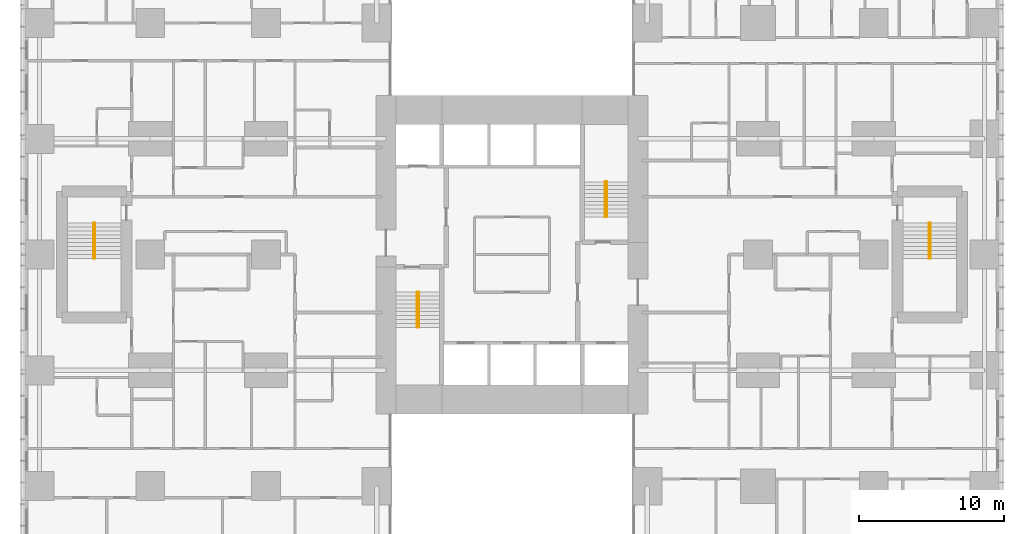
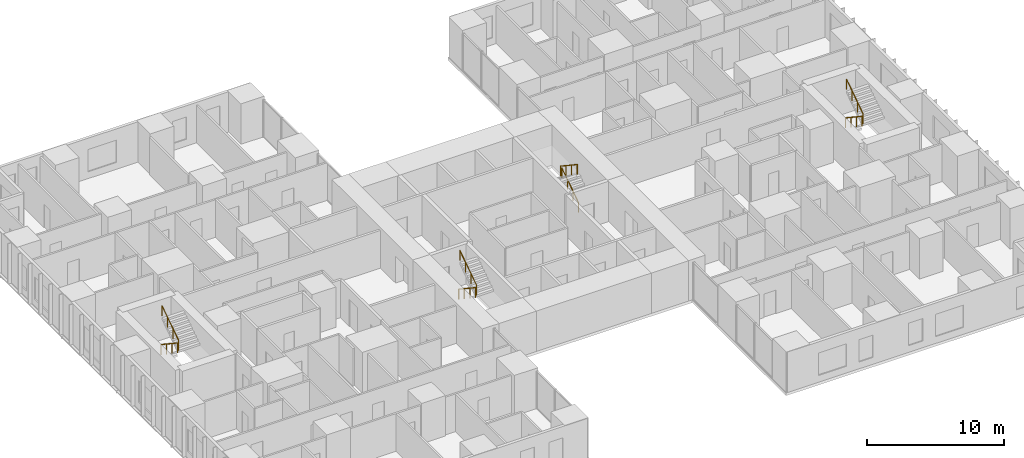
# One storey, part 21 of 21: 8 railings.
"""IFC4 building model written with IfcOpenShell, lengths in metres."""

import ifcopenshell
import ifcopenshell.guid

model = None  # the IFC model being written
_history = None  # IfcOwnerHistory: only IFC2X3 demands one
_inside = {}  # id of a spatial element -> (the spatial element, [elements in it])
_under = {}  # id of a project, library or spatial element -> (it, [spatial elements below it])
_declared = {}  # id of a project -> (the project, [libraries it declares])
_typed = {}  # id of a type object -> (the type object, [elements of that type])
_made_of = {}  # id of a material, layer set ... -> (it, [elements and type objects made of it])


def new_model(schema):
    """Start an empty IFC model of exactly this schema.

    Asked for "IFC4X3", IfcOpenShell would pick the latest addendum, in which some entities
    have other attributes; the version numbers below select the first issue.
    IFC2X3 requires an IfcOwnerHistory on every rooted entity: one is made here for all.
    """
    global model, _history
    if schema == "IFC4X3":
        model = ifcopenshell.file(schema_version=(4, 3, 0, 0))
    else:
        model = ifcopenshell.file(schema=schema)
    _inside.clear()
    _under.clear()
    _declared.clear()
    _typed.clear()
    _made_of.clear()
    _history = None
    if model.schema == "IFC2X3":
        org = make("IfcOrganization", Name="unknown")
        user = make(
            "IfcPersonAndOrganization",
            ThePerson=make("IfcPerson", FamilyName="unknown"),
            TheOrganization=org,
        )
        app = make(
            "IfcApplication",
            ApplicationDeveloper=org,
            Version="unknown",
            ApplicationFullName="unknown",
            ApplicationIdentifier="unknown",
        )
        _history = make(
            "IfcOwnerHistory",
            OwningUser=user,
            OwningApplication=app,
            ChangeAction="ADDED",
            CreationDate=0,
        )
    return model


def make(cls, **values):
    """One entity of the class cls with the attributes given. An attribute that is None is left unset."""
    return model.create_entity(
        cls, **{name: value for name, value in values.items() if value is not None}
    )


def rooted(cls, **values):
    """An entity with a GlobalId (a new one), such as an element, a storey or a relation."""
    return make(cls, GlobalId=ifcopenshell.guid.new(), OwnerHistory=_history, **values)


def si_unit(unit_type, name, prefix=None):
    """IfcSIUnit, for example si_unit("LENGTHUNIT", "METRE", prefix="MILLI")."""
    return make("IfcSIUnit", UnitType=unit_type, Prefix=prefix, Name=name)


def assignment(units):
    """IfcUnitAssignment: the units of a project."""
    return None if units is None else make("IfcUnitAssignment", Units=units)


def point(xyz):
    """IfcCartesianPoint."""
    return None if xyz is None else make("IfcCartesianPoint", Coordinates=xyz)


def direction(xyz):
    """IfcDirection."""
    return None if xyz is None else make("IfcDirection", DirectionRatios=xyz)


def frame(location, z_axis=None, x_axis=None):
    """IfcAxis2Placement3D, a coordinate frame: its origin and axes. An axis left out is left unset."""
    return make(
        "IfcAxis2Placement3D",
        Location=point(location),
        Axis=direction(z_axis),
        RefDirection=direction(x_axis),
    )


def frame_2d(location, x_axis=None):
    """IfcAxis2Placement2D, a coordinate frame in the plane: its origin and x axis."""
    return make(
        "IfcAxis2Placement2D", Location=point(location), RefDirection=direction(x_axis)
    )


def origin():
    """The frame at (0, 0, 0) with its axes left unset."""
    return frame((0.0, 0.0, 0.0))


def origin_2d():
    """The frame at (0, 0) in the plane with its x axis left unset."""
    return frame_2d((0.0, 0.0))


def place(relative_to, where):
    """IfcLocalPlacement: puts the frame where relative to a parent placement (None: the world)."""
    return make(
        "IfcLocalPlacement", PlacementRelTo=relative_to, RelativePlacement=where
    )


def context(
    kind, dimensions, precision=None, world=None, true_north=None, identifier=None
):
    """IfcGeometricRepresentationContext, for example the 3D "Model" context."""
    return make(
        "IfcGeometricRepresentationContext",
        ContextIdentifier=identifier,
        ContextType=kind,
        CoordinateSpaceDimension=dimensions,
        Precision=precision,
        WorldCoordinateSystem=world,
        TrueNorth=true_north,
    )


def subcontext(parent, identifier, kind, view, scale=None):
    """IfcGeometricRepresentationSubContext, for example "Body" below "Model"."""
    return make(
        "IfcGeometricRepresentationSubContext",
        ContextIdentifier=identifier,
        ContextType=kind,
        ParentContext=parent,
        TargetScale=scale,
        TargetView=view,
    )


def project(units=None, contexts=None):
    """IfcProject with its units and contexts."""
    return rooted(
        "IfcProject",
        Name="project",
        RepresentationContexts=contexts,
        UnitsInContext=assignment(units),
    )


def spatial(cls, under=None, at=None, **own):
    """A site, building, storey or space (cls), placed at a placement, below another one or the project."""
    s = rooted(cls, ObjectPlacement=at, **own)
    if under is not None:
        _under.setdefault(under.id(), (under, []))[1].append(s)
    return s


def profile(cls, at=None, kind="AREA", **sizes):
    """A parametric profile (cls). Its sizes go by their IFC names, for example OverallWidth=200.0."""
    return make(cls, ProfileType=kind, Position=at, **sizes)


def circle(**sizes):
    """IfcCircleProfileDef."""
    return profile("IfcCircleProfileDef", **sizes)


def extrude(swept, where, along, depth):
    """IfcExtrudedAreaSolid: the profile swept, set in the frame where, extruded along a direction by depth."""
    return make(
        "IfcExtrudedAreaSolid",
        SweptArea=swept,
        Position=where,
        ExtrudedDirection=direction(along),
        Depth=depth,
    )


def shape(context_of_items, identifier, shape_type, items):
    """IfcShapeRepresentation: the items that make up one representation, for example the "Body"."""
    return make(
        "IfcShapeRepresentation",
        ContextOfItems=context_of_items,
        RepresentationIdentifier=identifier,
        RepresentationType=shape_type,
        Items=items,
    )


def material(Name=None, Category=None):
    """IfcMaterial."""
    return make("IfcMaterial", Name=Name, Category=Category)


def made_of(thing, what):
    """Note that an element or type object is made of a material, layer set ...; save() writes the relation."""
    if what is not None:
        _made_of.setdefault(what.id(), (what, []))[1].append(thing)
    return thing


def type_object(cls, material=None, **own):
    """A type object (cls), such as IfcWallType, which elements share."""
    return made_of(rooted(cls, **own), material)


def element(
    cls,
    number,
    at=None,
    inside=None,
    cuts=None,
    type_object=None,
    material=None,
    context=None,
    identifier="Body",
    shape_type=None,
    held_by="IfcProductDefinitionShape",
    body=None,
    shapes=None,
    **own,
):
    """One element of the class cls, such as IfcWall. Its Tag is "e" and its number.

    at: its placement. inside: the storey or other place that contains it. cuts: it is an
    opening in that element (IfcRelVoidsElement). A single representation is given by context,
    identifier, shape_type and body (its items); several are given by shapes. held_by: the class
    of the entity that holds the representations. save() writes the other relations.
    """
    e = rooted(cls, Tag="e%d" % number, ObjectPlacement=at, **own)
    if body is not None:
        shapes = [shape(context, identifier, shape_type, body)]
    if shapes is not None:
        e.Representation = make(held_by, Representations=shapes)
    if inside is not None:
        _inside.setdefault(inside.id(), (inside, []))[1].append(e)
    if cuts is not None:
        rooted(
            "IfcRelVoidsElement", RelatingBuildingElement=cuts, RelatedOpeningElement=e
        )
    if type_object is not None:
        _typed.setdefault(type_object.id(), (type_object, []))[1].append(e)
    return made_of(e, material)


def aggregate(whole, parts):
    """IfcRelAggregates: a whole, such as a stair, and the parts it consists of."""
    return rooted("IfcRelAggregates", RelatingObject=whole, RelatedObjects=parts)


def save(model, path):
    """Write the relations noted so far, then the file.

    IfcRelAggregates (storeys below a building ...), IfcRelContainedInSpatialStructure (elements
    in a storey), IfcRelDefinesByType, IfcRelAssociatesMaterial and IfcRelDeclares: one each for
    every whole, place, type object, material and project.
    """
    for whole, parts in _under.values():
        aggregate(whole, parts)
    for where, things in _inside.values():
        rooted(
            "IfcRelContainedInSpatialStructure",
            RelatedElements=things,
            RelatingStructure=where,
        )
    for kind, things in _typed.values():
        rooted("IfcRelDefinesByType", RelatedObjects=things, RelatingType=kind)
    for what, things in _made_of.values():
        rooted("IfcRelAssociatesMaterial", RelatedObjects=things, RelatingMaterial=what)
    for by, libraries in _declared.values():
        rooted("IfcRelDeclares", RelatingContext=by, RelatedDefinitions=libraries)
    model.write(path)


model = new_model("IFC4")

# Units and contexts
model_context = context("Model", 3, precision=1e-05, world=origin(), true_north=direction((0.0, 1.0)))
body_context = subcontext(model_context, "Body", "Model", "MODEL_VIEW")
ifc_project = project(units=[si_unit("LENGTHUNIT", "METRE"), si_unit("AREAUNIT", "SQUARE_METRE"), si_unit("VOLUMEUNIT", "CUBIC_METRE"), si_unit("PLANEANGLEUNIT", "RADIAN"), si_unit("MASSUNIT", "GRAM", prefix="KILO")], contexts=[model_context])

# Site, building, storey
site_placement = place(None, origin())
site = spatial("IfcSite", under=ifc_project, at=site_placement, CompositionType="ELEMENT")
building_placement = place(site_placement, origin())
building = spatial("IfcBuilding", under=site, at=building_placement, Name="Cleftline Residences", CompositionType="ELEMENT")
storey_placement = place(building_placement, frame((0.0, 0.0, 58.39990234375)))
storey = spatial("IfcBuildingStorey", under=building, at=storey_placement, Name="L14", CompositionType="ELEMENT", Elevation=58.39990234375)

# Railings
ifc_material = material(Name="Stainless steel", Category="steel")
railing_type = type_object("IfcRailingType", Name="HANDRAIL 900", PredefinedType="HANDRAIL", material=ifc_material)
railing_1_placement = place(storey_placement, frame((26.449951171875, 21.39990234375, 0.18017578125)))
element("IfcRailing", 1, at=railing_1_placement, inside=storey, type_object=railing_type, Name="Stair handrail", PredefinedType="HANDRAIL", context=body_context, shape_type="SweptSolid", body=[
    extrude(circle(Radius=0.02392578125, at=origin_2d()), frame((0.0, 0.0, 0.8759765625), z_axis=(0.0, -0.832063155534, 0.554680903946), x_axis=(1.0, 0.0, 0.0)), (0.0, 0.0, 1.0), 2.92041015625),
    extrude(circle(Radius=0.02099609375, at=origin_2d()), origin(), (0.0, 0.0, 1.0), 0.851806640625),
    extrude(circle(Radius=0.02099609375, at=origin_2d()), frame((0.0, -0.81005859375, 0.5400390625)), (0.0, 0.0, 1.0), 0.851806640625),
    extrude(circle(Radius=0.02099609375, at=origin_2d()), frame((0.0, -1.619873046875, 1.079833984375)), (0.0, 0.0, 1.0), 0.851806640625),
    extrude(circle(Radius=0.02099609375, at=origin_2d()), frame((0.0, -2.429931640625, 1.619873046875)), (0.0, 0.0, 1.0), 0.851806640625),
])
railing_2_placement = place(storey_placement, frame((26.550048828125, 18.969970703125, 1.97998046875)))
element("IfcRailing", 2, at=railing_2_placement, inside=storey, type_object=railing_type, Name="Stair handrail", PredefinedType="HANDRAIL", context=body_context, shape_type="SweptSolid", body=[
    extrude(circle(Radius=0.02392578125, at=origin_2d()), frame((0.0, 0.0, 0.8759765625), z_axis=(0.0, 0.832024571796, 0.554738778101), x_axis=(-1.0, 0.0, 0.0)), (0.0, 0.0, 1.0), 2.92041015625),
    extrude(circle(Radius=0.02099609375, at=origin_2d()), origin(), (0.0, 0.0, 1.0), 0.851806640625),
    extrude(circle(Radius=0.02099609375, at=origin_2d()), frame((0.0, 0.81005859375, 0.5400390625)), (0.0, 0.0, 1.0), 0.851806640625),
    extrude(circle(Radius=0.02099609375, at=origin_2d()), frame((0.0, 1.619873046875, 1.080078125)), (0.0, 0.0, 1.0), 0.851806640625),
    extrude(circle(Radius=0.02099609375, at=origin_2d()), frame((0.0, 2.429931640625, 1.6201171875)), (0.0, 0.0, 1.0), 0.851806640625),
])
railing_3_placement = place(storey_placement, frame((39.550048828125, 26.60009765625, 0.18017578125)))
element("IfcRailing", 3, at=railing_3_placement, inside=storey, type_object=railing_type, Name="Stair handrail", PredefinedType="HANDRAIL", context=body_context, shape_type="SweptSolid", body=[
    extrude(circle(Radius=0.02392578125, at=origin_2d()), frame((0.0, 0.0, 0.8759765625), z_axis=(0.0, 0.832063155534, 0.554680903946), x_axis=(-1.0, 0.0, 0.0)), (0.0, 0.0, 1.0), 2.92041015625),
    extrude(circle(Radius=0.02099609375, at=origin_2d()), origin(), (0.0, 0.0, 1.0), 0.851806640625),
    extrude(circle(Radius=0.02099609375, at=origin_2d()), frame((0.0, 0.81005859375, 0.5400390625)), (0.0, 0.0, 1.0), 0.851806640625),
    extrude(circle(Radius=0.02099609375, at=origin_2d()), frame((0.0, 1.619873046875, 1.079833984375)), (0.0, 0.0, 1.0), 0.851806640625),
    extrude(circle(Radius=0.02099609375, at=origin_2d()), frame((0.0, 2.429931640625, 1.619873046875)), (0.0, 0.0, 1.0), 0.851806640625),
])
railing_4_placement = place(storey_placement, frame((39.449951171875, 29.030029296875, 1.97998046875)))
element("IfcRailing", 4, at=railing_4_placement, inside=storey, type_object=railing_type, Name="Stair handrail", PredefinedType="HANDRAIL", context=body_context, shape_type="SweptSolid", body=[
    extrude(circle(Radius=0.02392578125, at=origin_2d()), frame((0.0, 0.0, 0.8759765625), z_axis=(0.0, -0.832024571796, 0.554738778101), x_axis=(1.0, 0.0, 0.0)), (0.0, 0.0, 1.0), 2.92041015625),
    extrude(circle(Radius=0.02099609375, at=origin_2d()), origin(), (0.0, 0.0, 1.0), 0.851806640625),
    extrude(circle(Radius=0.02099609375, at=origin_2d()), frame((0.0, -0.81005859375, 0.5400390625)), (0.0, 0.0, 1.0), 0.851806640625),
    extrude(circle(Radius=0.02099609375, at=origin_2d()), frame((0.0, -1.619873046875, 1.080078125)), (0.0, 0.0, 1.0), 0.851806640625),
    extrude(circle(Radius=0.02099609375, at=origin_2d()), frame((0.0, -2.429931640625, 1.6201171875)), (0.0, 0.0, 1.0), 0.851806640625),
])
railing_5_placement = place(storey_placement, frame((61.824951171875, 26.175048828125, 0.18017578125)))
element("IfcRailing", 5, at=railing_5_placement, inside=storey, type_object=railing_type, Name="Stair handrail", PredefinedType="HANDRAIL", context=body_context, shape_type="SweptSolid", body=[
    extrude(circle(Radius=0.02392578125, at=origin_2d()), frame((0.0, 0.0, 0.8759765625), z_axis=(0.0, -0.832063155534, 0.554680903946), x_axis=(1.0, 0.0, 0.0)), (0.0, 0.0, 1.0), 2.92041015625),
    extrude(circle(Radius=0.02099609375, at=origin_2d()), origin(), (0.0, 0.0, 1.0), 0.851806640625),
    extrude(circle(Radius=0.02099609375, at=origin_2d()), frame((0.0, -0.81005859375, 0.5400390625)), (0.0, 0.0, 1.0), 0.851806640625),
    extrude(circle(Radius=0.02099609375, at=origin_2d()), frame((0.0, -1.619873046875, 1.079833984375)), (0.0, 0.0, 1.0), 0.851806640625),
    extrude(circle(Radius=0.02099609375, at=origin_2d()), frame((0.0, -2.429931640625, 1.619873046875)), (0.0, 0.0, 1.0), 0.851806640625),
])
railing_6_placement = place(storey_placement, frame((61.925048828125, 23.7451171875, 1.97998046875)))
element("IfcRailing", 6, at=railing_6_placement, inside=storey, type_object=railing_type, Name="Stair handrail", PredefinedType="HANDRAIL", context=body_context, shape_type="SweptSolid", body=[
    extrude(circle(Radius=0.02392578125, at=origin_2d()), frame((0.0, 0.0, 0.8759765625), z_axis=(0.0, 0.832024571796, 0.554738778101), x_axis=(-1.0, 0.0, 0.0)), (0.0, 0.0, 1.0), 2.92041015625),
    extrude(circle(Radius=0.02099609375, at=origin_2d()), origin(), (0.0, 0.0, 1.0), 0.851806640625),
    extrude(circle(Radius=0.02099609375, at=origin_2d()), frame((0.0, 0.81005859375, 0.5400390625)), (0.0, 0.0, 1.0), 0.851806640625),
    extrude(circle(Radius=0.02099609375, at=origin_2d()), frame((0.0, 1.619873046875, 1.080078125)), (0.0, 0.0, 1.0), 0.851806640625),
    extrude(circle(Radius=0.02099609375, at=origin_2d()), frame((0.0, 2.429931640625, 1.6201171875)), (0.0, 0.0, 1.0), 0.851806640625),
])
railing_7_placement = place(storey_placement, frame((4.074951171875, 26.175048828125, 0.18017578125)))
element("IfcRailing", 7, at=railing_7_placement, inside=storey, type_object=railing_type, Name="Stair handrail", PredefinedType="HANDRAIL", context=body_context, shape_type="SweptSolid", body=[
    extrude(circle(Radius=0.02392578125, at=origin_2d()), frame((0.0, 0.0, 0.8759765625), z_axis=(0.0, -0.832063155534, 0.554680903946), x_axis=(1.0, 0.0, 0.0)), (0.0, 0.0, 1.0), 2.92041015625),
    extrude(circle(Radius=0.02099609375, at=origin_2d()), origin(), (0.0, 0.0, 1.0), 0.851806640625),
    extrude(circle(Radius=0.02099609375, at=origin_2d()), frame((0.0, -0.81005859375, 0.5400390625)), (0.0, 0.0, 1.0), 0.851806640625),
    extrude(circle(Radius=0.02099609375, at=origin_2d()), frame((0.0, -1.619873046875, 1.079833984375)), (0.0, 0.0, 1.0), 0.851806640625),
    extrude(circle(Radius=0.02099609375, at=origin_2d()), frame((0.0, -2.429931640625, 1.619873046875)), (0.0, 0.0, 1.0), 0.851806640625),
])
railing_8_placement = place(storey_placement, frame((4.175048828125, 23.7451171875, 1.97998046875)))
element("IfcRailing", 8, at=railing_8_placement, inside=storey, type_object=railing_type, Name="Stair handrail", PredefinedType="HANDRAIL", context=body_context, shape_type="SweptSolid", body=[
    extrude(circle(Radius=0.02392578125, at=origin_2d()), frame((0.0, 0.0, 0.8759765625), z_axis=(0.0, 0.832024571796, 0.554738778101), x_axis=(-1.0, 0.0, 0.0)), (0.0, 0.0, 1.0), 2.92041015625),
    extrude(circle(Radius=0.02099609375, at=origin_2d()), origin(), (0.0, 0.0, 1.0), 0.851806640625),
    extrude(circle(Radius=0.02099609375, at=origin_2d()), frame((0.0, 0.81005859375, 0.5400390625)), (0.0, 0.0, 1.0), 0.851806640625),
    extrude(circle(Radius=0.02099609375, at=origin_2d()), frame((0.0, 1.619873046875, 1.080078125)), (0.0, 0.0, 1.0), 0.851806640625),
    extrude(circle(Radius=0.02099609375, at=origin_2d()), frame((0.0, 2.429931640625, 1.6201171875)), (0.0, 0.0, 1.0), 0.851806640625),
])

save(model, "model.ifc")
